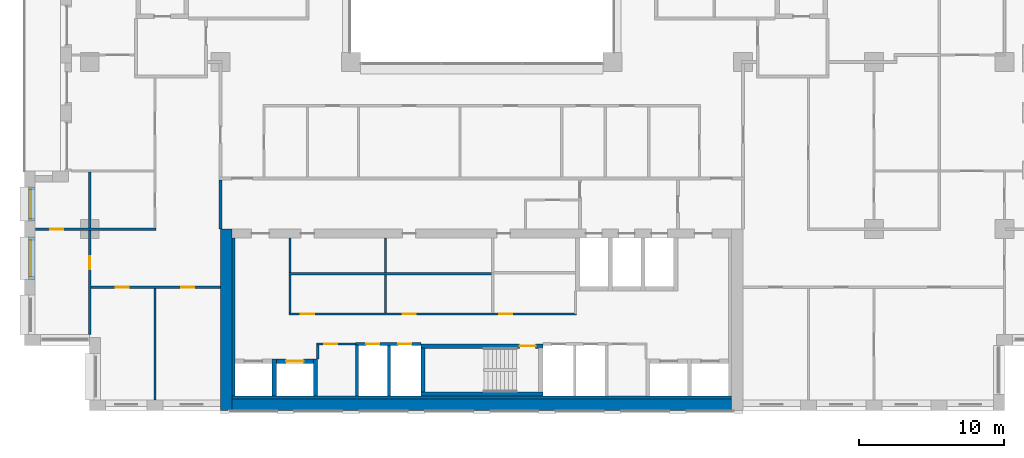
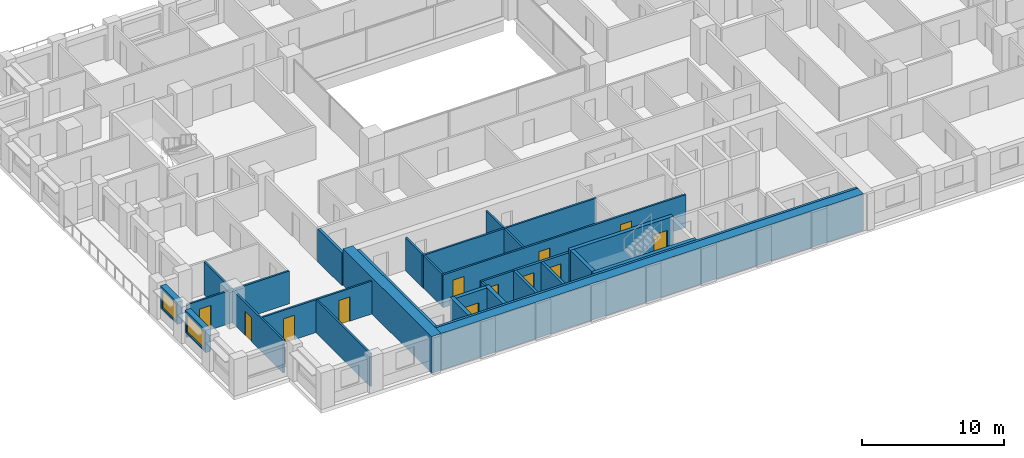
# One storey, part 8 of 16: 29 walls, 12 doors, 2 windows, 14 openings.
"""IFC4 building model written with IfcOpenShell, lengths in metres."""

from ifc_helpers import new_model, si_unit, direction, frame, frame_2d, origin, place, context, subcontext, project, spatial, rectangle, extrude, material, layer, layer_set, type_object, element, fill, save


model = new_model("IFC4")

# Units and contexts
model_context = context("Model", 3, precision=1e-05, world=origin(), true_north=direction((0.0, 1.0)))
body_context = subcontext(model_context, "Body", "Model", "MODEL_VIEW")
ifc_project = project(units=[si_unit("LENGTHUNIT", "METRE"), si_unit("AREAUNIT", "SQUARE_METRE"), si_unit("VOLUMEUNIT", "CUBIC_METRE"), si_unit("PLANEANGLEUNIT", "RADIAN"), si_unit("MASSUNIT", "GRAM", prefix="KILO")], contexts=[model_context])

# Site, building, storey
site_placement = place(None, origin())
site = spatial("IfcSite", under=ifc_project, at=site_placement, CompositionType="ELEMENT")
building_placement = place(site_placement, origin())
building = spatial("IfcBuilding", under=site, at=building_placement, Name="Brigalow Station Residences", CompositionType="ELEMENT")
storey_placement = place(building_placement, frame((0.0, 0.0, 124.5)))
storey = spatial("IfcBuildingStorey", under=building, at=storey_placement, Name="L36", CompositionType="ELEMENT", Elevation=124.5)

# Wall, opening, window
ifc_material_1 = material(Name="Clay brick masonry", Category="masonry")
ifc_layer_1 = layer(ifc_material_1, 0.449951171875)
ifc_layer_set_1 = layer_set([ifc_layer_1], Name="BRICK INFILL WALL 450")
wall_type_1 = type_object("IfcWallType", Name="BRICK INFILL WALL 450", PredefinedType="SOLIDWALL", material=ifc_layer_set_1)
wall_1_placement = place(storey_placement, frame((5.02490234375, 15.39990234375, 0.89990234375), z_axis=(0.0, 0.0, 1.0), x_axis=(0.0, -1.0, 0.0)))
wall_1 = element("IfcWall", 1, at=wall_1_placement, inside=storey, type_object=wall_type_1, Name="L36/ewall/W-L36-47", PredefinedType="SOLIDWALL", context=body_context, shape_type="SweptSolid", body=[
    extrude(rectangle(XDim=2.349853515625, YDim=0.449951171875, at=frame_2d((1.1748046875, 0.0))), origin(), (0.0, 0.0, 1.0), 1.93017578125),
])
opening_1_placement = place(wall_1_placement, frame((0.175048828125, 0.0, 0.14990234375)))
opening_1 = element("IfcOpeningElement", 2, at=opening_1_placement, cuts=wall_1, Name="Opening WT-7", PredefinedType="OPENING", context=body_context, shape_type="SweptSolid", body=[
    extrude(rectangle(XDim=2.0, YDim=1.5, at=frame_2d((1.0, 0.75))), frame((0.0, 0.23486328125, 0.0), z_axis=(0.0, -1.0, 0.0), x_axis=(1.0, 0.0, 0.0)), (0.0, 0.0, 1.0), 0.469970703125),
])
ifc_material_2 = material(Name="Anodised aluminium frame with double glazing", Category="aluminium")
window_type_1 = type_object("IfcWindowType", Name="WINDOW 2000x1500", PartitioningType="SINGLE_PANEL", PredefinedType="WINDOW", material=ifc_material_2)
window_1_placement = place(opening_1_placement, origin())
window_1 = element("IfcWindow", 3, at=window_1_placement, inside=storey, type_object=window_type_1, Name="L36/window/W-L36-47", OverallHeight=1.5, OverallWidth=2.0, PartitioningType="SINGLE_PANEL", PredefinedType="WINDOW", context=body_context, shape_type="SweptSolid", body=[
    extrude(rectangle(XDim=2.0, YDim=1.5, at=frame_2d((1.0, 0.75))), frame((0.0, -0.06494140625, 0.0), z_axis=(0.0, -1.0, 0.0), x_axis=(1.0, 0.0, 0.0)), (0.0, 0.0, 1.0), 0.06005859375),
])
fill(opening_1, window_1)

wall_2_placement = place(storey_placement, frame((5.02490234375, 11.949951171875, 0.89990234375), z_axis=(0.0, 0.0, 1.0), x_axis=(0.0, -1.0, 0.0)))
wall_2 = element("IfcWall", 4, at=wall_2_placement, inside=storey, type_object=wall_type_1, Name="L36/ewall/W-L36-48", PredefinedType="SOLIDWALL", context=body_context, shape_type="SweptSolid", body=[
    extrude(rectangle(XDim=2.89990234375, YDim=0.449951171875, at=frame_2d((1.449951171875, 0.0))), origin(), (0.0, 0.0, 1.0), 1.93017578125),
])
opening_2_placement = place(wall_2_placement, frame((0.199951171875, 0.0, 0.14990234375)))
opening_2 = element("IfcOpeningElement", 5, at=opening_2_placement, cuts=wall_2, Name="Opening WT-5", PredefinedType="OPENING", context=body_context, shape_type="SweptSolid", body=[
    extrude(rectangle(XDim=2.5, YDim=1.5, at=frame_2d((1.25, 0.75))), frame((0.0, 0.23486328125, 0.0), z_axis=(0.0, -1.0, 0.0), x_axis=(1.0, 0.0, 0.0)), (0.0, 0.0, 1.0), 0.469970703125),
])
ifc_material_3 = material(Name="Anodised aluminium frame with double glazing", Category="aluminium")
window_type_2 = type_object("IfcWindowType", Name="WINDOW 2500x1500", PartitioningType="SINGLE_PANEL", PredefinedType="WINDOW", material=ifc_material_3)
window_2_placement = place(opening_2_placement, origin())
window_2 = element("IfcWindow", 6, at=window_2_placement, inside=storey, type_object=window_type_2, Name="L36/window/W-L36-48", OverallHeight=1.5, OverallWidth=2.5, PartitioningType="SINGLE_PANEL", PredefinedType="WINDOW", context=body_context, shape_type="SweptSolid", body=[
    extrude(rectangle(XDim=2.5, YDim=1.5, at=frame_2d((1.25, 0.75))), frame((0.0, -0.06494140625, 0.0), z_axis=(0.0, -1.0, 0.0), x_axis=(1.0, 0.0, 0.0)), (0.0, 0.0, 1.0), 0.06005859375),
])
fill(opening_2, window_2)

# Walls
ifc_material_4 = material(Name="Concrete C65", Category="concrete")
ifc_layer_2 = layer(ifc_material_4, 0.199951171875)
ifc_layer_set_2 = layer_set([ifc_layer_2], Name="CORE SHEAR WALL 200 C65")
wall_type_2 = type_object("IfcWallType", Name="CORE SHEAR WALL 200 C65", PredefinedType="SHEAR", material=ifc_layer_set_2)
wall_3_placement = place(storey_placement, frame((18.89990234375, 1.0, 0.0), z_axis=(0.0, 0.0, 1.0), x_axis=(0.0, 1.0, 0.0)))
element("IfcWall", 7, at=wall_3_placement, inside=storey, type_object=wall_type_2, Name="CORE WALL LIN-W L36", PredefinedType="SHEAR", context=body_context, shape_type="SweptSolid", body=[
    extrude(rectangle(XDim=10.89990234375, YDim=0.199951171875, at=frame_2d((5.449951171875, 0.0))), origin(), (0.0, 0.0, 1.0), 3.14990234375),
])
wall_4_placement = place(storey_placement, frame((18.800048828125, 0.89990234375, 0.0), z_axis=(0.0, 0.0, 1.0), x_axis=(1.0, 0.0, 0.0)))
element("IfcWall", 8, at=wall_4_placement, inside=storey, type_object=wall_type_2, Name="CORE WALL LIN-S L36", PredefinedType="SHEAR", context=body_context, shape_type="SweptSolid", body=[
    extrude(rectangle(XDim=34.39990234375, YDim=0.199951171875, at=frame_2d((17.199951171875, 0.0))), origin(), (0.0, 0.0, 1.0), 3.14990234375),
])

# Wall, opening, door
ifc_material_5 = material(Name="Concrete C65", Category="concrete")
ifc_layer_3 = layer(ifc_material_5, 0.300048828125)
ifc_layer_set_3 = layer_set([ifc_layer_3], Name="CORE SHEAR WALL 300 C65")
wall_type_3 = type_object("IfcWallType", Name="CORE SHEAR WALL 300 C65", PredefinedType="SHEAR", material=ifc_layer_set_3)
wall_5_placement = place(storey_placement, frame((21.85009765625, 3.39990234375, 0.0), z_axis=(0.0, 0.0, 1.0), x_axis=(1.0, 0.0, 0.0)))
wall_5 = element("IfcWall", 9, at=wall_5_placement, inside=storey, type_object=wall_type_3, Name="CORE WALL SH-C2-N L36", PredefinedType="SHEAR", context=body_context, shape_type="SweptSolid", body=[
    extrude(rectangle(XDim=2.5498046875, YDim=0.300048828125, at=frame_2d((1.27490234375, 0.0))), origin(), (0.0, 0.0, 1.0), 3.14990234375),
])
opening_3_placement = place(wall_5_placement, frame((0.675048828125, 0.0, 0.0)))
opening_3 = element("IfcOpeningElement", 10, at=opening_3_placement, cuts=wall_5, Name="Opening LD-LB2", PredefinedType="OPENING", context=body_context, shape_type="SweptSolid", body=[
    extrude(rectangle(XDim=1.199951171875, YDim=2.10009765625, at=frame_2d((0.60009765625, 1.050048828125))), frame((0.0, 0.16015625, 0.0), z_axis=(0.0, -1.0, 0.0), x_axis=(1.0, 0.0, 0.0)), (0.0, 0.0, 1.0), 0.320068359375),
])
ifc_material_6 = material(Name="Stainless steel sliding door leaves", Category="steel")
door_type_1 = type_object("IfcDoorType", Name="LIFT LANDING DOOR 1200 x 2100", OperationType="DOUBLE_DOOR_SLIDING", PredefinedType="DOOR", material=ifc_material_6)
door_1_placement = place(opening_3_placement, origin())
door_1 = element("IfcDoor", 11, at=door_1_placement, inside=storey, type_object=door_type_1, Name="LANDING DOOR LB2", OperationType="DOUBLE_DOOR_SLIDING", OverallHeight=2.10009765625, OverallWidth=1.199951171875, PredefinedType="DOOR", context=body_context, shape_type="SweptSolid", body=[
    extrude(rectangle(XDim=1.199951171875, YDim=2.10009765625, at=frame_2d((0.60009765625, 1.050048828125))), frame((0.0, 0.02490234375, 0.0), z_axis=(0.0, -1.0, 0.0), x_axis=(1.0, 0.0, 0.0)), (0.0, 0.0, 1.0), 0.050048828125),
])
fill(opening_3, door_1)

# Walls
for number, where, z_axis, x_axis, name in (
    (12, (21.699951171875, 1.0, 0.0), (0.0, 0.0, 1.0), (0.0, 1.0, 0.0), "CORE WALL SH-C2-W L36"),
    (13, (24.550048828125, 1.0, 0.0), (0.0, 0.0, 1.0), (0.0, 1.0, 0.0), "CORE WALL SH-C2-E L36"),
):
    element("IfcWall", number, at=place(storey_placement, frame(where, z_axis=z_axis, x_axis=x_axis)), inside=storey, type_object=wall_type_3, Name=name, PredefinedType="SHEAR", context=body_context, shape_type="SweptSolid", body=[
        extrude(rectangle(XDim=2.550048828125, YDim=0.300048828125, at=frame_2d((1.27490234375, 0.0))), origin(), (0.0, 0.0, 1.0), 3.14990234375),
    ])
wall_6_placement = place(storey_placement, frame((31.800048828125, 1.14990234375, 0.0), z_axis=(0.0, 0.0, 1.0), x_axis=(1.0, 0.0, 0.0)))
element("IfcWall", 14, at=wall_6_placement, inside=storey, type_object=wall_type_3, Name="CORE WALL ST-S2-S L36", PredefinedType="SHEAR", context=body_context, shape_type="SweptSolid", body=[
    extrude(rectangle(XDim=8.39990234375, YDim=0.300048828125, at=frame_2d((4.199951171875, 0.0))), origin(), (0.0, 0.0, 1.0), 3.14990234375),
])

# Wall, opening, door
wall_7_placement = place(storey_placement, frame((31.800048828125, 4.449951171875, 0.0), z_axis=(0.0, 0.0, 1.0), x_axis=(1.0, 0.0, 0.0)))
wall_7 = element("IfcWall", 15, at=wall_7_placement, inside=storey, type_object=wall_type_3, Name="CORE WALL ST-S2-N L36", PredefinedType="SHEAR", context=body_context, shape_type="SweptSolid", body=[
    extrude(rectangle(XDim=8.39990234375, YDim=0.300048828125, at=frame_2d((4.199951171875, 0.0))), origin(), (0.0, 0.0, 1.0), 3.14990234375),
])
opening_4_placement = place(wall_7_placement, frame((6.800048828125, 0.0, 0.0)))
opening_4 = element("IfcOpeningElement", 16, at=opening_4_placement, cuts=wall_7, Name="Opening D-5001", PredefinedType="OPENING", context=body_context, shape_type="SweptSolid", body=[
    extrude(rectangle(XDim=1.10009765625, YDim=2.10009765625, at=frame_2d((0.550048828125, 1.050048828125))), frame((0.0, 0.16015625, 0.0), z_axis=(0.0, -1.0, 0.0), x_axis=(1.0, 0.0, 0.0)), (0.0, 0.0, 1.0), 0.320068359375),
])
ifc_material_7 = material(Name="Steel fire door leaf in steel frame", Category="steel")
door_type_2 = type_object("IfcDoorType", Name="STAIR DOOR 1100 x 2100 FD60S", OperationType="SINGLE_SWING_LEFT", PredefinedType="DOOR", material=ifc_material_7)
door_2_placement = place(opening_4_placement, frame((1.10009765625, 0.0, 0.0), z_axis=(0.0, 0.0, 1.0), x_axis=(-1.0, 0.0, 0.0)))
door_2 = element("IfcDoor", 17, at=door_2_placement, inside=storey, type_object=door_type_2, Name="D-5001", OperationType="SINGLE_SWING_LEFT", OverallHeight=2.10009765625, OverallWidth=1.10009765625, PredefinedType="DOOR", context=body_context, shape_type="SweptSolid", body=[
    extrude(rectangle(XDim=1.10009765625, YDim=2.10009765625, at=frame_2d((0.550048828125, 1.050048828125))), frame((0.0, 0.02490234375, 0.0), z_axis=(0.0, -1.0, 0.0), x_axis=(1.0, 0.0, 0.0)), (0.0, 0.0, 1.0), 0.050048828125),
])
fill(opening_4, door_2)

# Walls
wall_8_placement = place(storey_placement, frame((31.949951171875, 1.300048828125, 0.0), z_axis=(0.0, 0.0, 1.0), x_axis=(0.0, 1.0, 0.0)))
element("IfcWall", 18, at=wall_8_placement, inside=storey, type_object=wall_type_3, Name="CORE WALL ST-S2-W L36", PredefinedType="SHEAR", context=body_context, shape_type="SweptSolid", body=[
    extrude(rectangle(XDim=3.0, YDim=0.300048828125, at=frame_2d((1.5, 0.0))), origin(), (0.0, 0.0, 1.0), 3.14990234375),
])
ifc_material_8 = material(Name="Concrete C65", Category="concrete")
ifc_layer_4 = layer(ifc_material_8, 0.800048828125)
ifc_layer_set_4 = layer_set([ifc_layer_4], Name="CORE SHEAR WALL 800 C65")
wall_type_4 = type_object("IfcWallType", Name="CORE SHEAR WALL 800 C65", PredefinedType="SHEAR", material=ifc_layer_set_4)
wall_9_placement = place(storey_placement, frame((18.39990234375, 0.0, 0.0), z_axis=(0.0, 0.0, 1.0), x_axis=(0.0, 1.0, 0.0)))
element("IfcWall", 19, at=wall_9_placement, inside=storey, type_object=wall_type_4, Name="CORE WALL OUT-W L36", PredefinedType="SHEAR", context=body_context, shape_type="SweptSolid", body=[
    extrude(rectangle(XDim=12.5, YDim=0.800048828125, at=frame_2d((6.25, 0.0))), origin(), (0.0, 0.0, 1.0), 3.14990234375),
])
wall_10_placement = place(storey_placement, frame((18.800048828125, 0.39990234375, 0.0), z_axis=(0.0, 0.0, 1.0), x_axis=(1.0, 0.0, 0.0)))
element("IfcWall", 20, at=wall_10_placement, inside=storey, type_object=wall_type_4, Name="CORE WALL OUT-S L36", PredefinedType="SHEAR", context=body_context, shape_type="SweptSolid", body=[
    extrude(rectangle(XDim=34.39990234375, YDim=0.800048828125, at=frame_2d((17.199951171875, 0.0))), origin(), (0.0, 0.0, 1.0), 3.14990234375),
])

# Wall, openings, doors
ifc_material_9 = material(Name="Concrete blockwork", Category="masonry")
ifc_layer_5 = layer(ifc_material_9, 0.199951171875)
ifc_layer_set_5 = layer_set([ifc_layer_5], Name="FIRE RATED CORE PARTITION 200")
wall_type_5 = type_object("IfcWallType", Name="FIRE RATED CORE PARTITION 200", PredefinedType="PARTITIONING", material=ifc_layer_set_5)
wall_11_placement = place(storey_placement, frame((27.300048828125, 4.60009765625, 0.0), z_axis=(0.0, 0.0, 1.0), x_axis=(1.0, 0.0, 0.0)))
wall_11 = element("IfcWall", 21, at=wall_11_placement, inside=storey, type_object=wall_type_5, Name="PW-5017", PredefinedType="PARTITIONING", context=body_context, shape_type="SweptSolid", body=[
    extrude(rectangle(XDim=4.5, YDim=0.199951171875, at=frame_2d((2.25, 0.0))), origin(), (0.0, 0.0, 1.0), 2.830078125),
])
opening_5_placement = place(wall_11_placement, frame((0.75, 0.0, 0.0)))
opening_5 = element("IfcOpeningElement", 22, at=opening_5_placement, cuts=wall_11, Name="Opening D-5007", PredefinedType="OPENING", context=body_context, shape_type="SweptSolid", body=[
    extrude(rectangle(XDim=0.89990234375, YDim=2.10009765625, at=frame_2d((0.449951171875, 1.050048828125))), frame((0.0, 0.10986328125, 0.0), z_axis=(0.0, -1.0, 0.0), x_axis=(1.0, 0.0, 0.0)), (0.0, 0.0, 1.0), 0.219970703125),
])
opening_6_placement = place(wall_11_placement, frame((2.949951171875, 0.0, 0.0)))
opening_6 = element("IfcOpeningElement", 23, at=opening_6_placement, cuts=wall_11, Name="Opening D-5008", PredefinedType="OPENING", context=body_context, shape_type="SweptSolid", body=[
    extrude(rectangle(XDim=0.89990234375, YDim=2.10009765625, at=frame_2d((0.449951171875, 1.050048828125))), frame((0.0, 0.10986328125, 0.0), z_axis=(0.0, -1.0, 0.0), x_axis=(1.0, 0.0, 0.0)), (0.0, 0.0, 1.0), 0.219970703125),
])
ifc_material_10 = material(Name="Steel fire door leaf in steel frame", Category="steel")
door_type_3 = type_object("IfcDoorType", Name="RISER ACCESS DOOR 900 x 2100 FD120", OperationType="SINGLE_SWING_LEFT", PredefinedType="DOOR", material=ifc_material_10)
door_3_placement = place(opening_5_placement, frame((0.89990234375, 0.0, 0.0), z_axis=(0.0, 0.0, 1.0), x_axis=(-1.0, 0.0, 0.0)))
door_3 = element("IfcDoor", 24, at=door_3_placement, inside=storey, type_object=door_type_3, Name="D-5007", OperationType="SINGLE_SWING_RIGHT", OverallHeight=2.10009765625, OverallWidth=0.89990234375, PredefinedType="DOOR", context=body_context, shape_type="SweptSolid", body=[
    extrude(rectangle(XDim=0.89990234375, YDim=2.10009765625, at=frame_2d((0.449951171875, 1.050048828125))), frame((0.0, 0.02490234375, 0.0), z_axis=(0.0, -1.0, 0.0), x_axis=(1.0, 0.0, 0.0)), (0.0, 0.0, 1.0), 0.050048828125),
])
fill(opening_5, door_3)
door_4_placement = place(opening_6_placement, frame((0.89990234375, 0.0, 0.0), z_axis=(0.0, 0.0, 1.0), x_axis=(-1.0, 0.0, 0.0)))
door_4 = element("IfcDoor", 25, at=door_4_placement, inside=storey, type_object=door_type_3, Name="D-5008", OperationType="SINGLE_SWING_RIGHT", OverallHeight=2.10009765625, OverallWidth=0.89990234375, PredefinedType="DOOR", context=body_context, shape_type="SweptSolid", body=[
    extrude(rectangle(XDim=0.89990234375, YDim=2.10009765625, at=frame_2d((0.449951171875, 1.050048828125))), frame((0.0, 0.02490234375, 0.0), z_axis=(0.0, -1.0, 0.0), x_axis=(1.0, 0.0, 0.0)), (0.0, 0.0, 1.0), 0.050048828125),
])
fill(opening_6, door_4)

# Walls
wall_12_placement = place(storey_placement, frame((27.39990234375, 1.0, 0.0), z_axis=(0.0, 0.0, 1.0), x_axis=(0.0, 1.0, 0.0)))
element("IfcWall", 26, at=wall_12_placement, inside=storey, type_object=wall_type_5, Name="PW-5027", PredefinedType="PARTITIONING", context=body_context, shape_type="SweptSolid", body=[
    extrude(rectangle(XDim=3.52490234375, YDim=0.199951171875, at=frame_2d((1.762451171875, 0.0))), origin(), (0.0, 0.0, 1.0), 2.830078125),
])
wall_13_placement = place(storey_placement, frame((29.60009765625, 1.0, 0.0), z_axis=(0.0, 0.0, 1.0), x_axis=(0.0, 1.0, 0.0)))
element("IfcWall", 27, at=wall_13_placement, inside=storey, type_object=wall_type_5, Name="PW-5006", PredefinedType="PARTITIONING", context=body_context, shape_type="SweptSolid", body=[
    extrude(rectangle(XDim=3.5, YDim=0.199951171875, at=frame_2d((1.75, 0.0))), origin(), (0.0, 0.0, 1.0), 2.830078125),
])
wall_14_placement = place(storey_placement, frame((18.0, 12.5, 0.0), z_axis=(0.0, 0.0, 1.0), x_axis=(0.0, 1.0, 0.0)))
element("IfcWall", 28, at=wall_14_placement, inside=storey, type_object=wall_type_5, Name="PW-5013", PredefinedType="PARTITIONING", context=body_context, shape_type="SweptSolid", body=[
    extrude(rectangle(XDim=3.39990234375, YDim=0.199951171875, at=frame_2d((1.699951171875, 0.0))), origin(), (0.0, 0.0, 1.0), 2.830078125),
])

# Wall, opening, door
ifc_material_11 = material(Name="Plasterboard on steel stud partition", Category="steel")
ifc_layer_6 = layer(ifc_material_11, 0.14990234375)
ifc_layer_set_6 = layer_set([ifc_layer_6], Name="FLAT PARTITION 150")
wall_type_6 = type_object("IfcWallType", Name="FLAT PARTITION 150", PredefinedType="PARTITIONING", material=ifc_layer_set_6)
wall_15_placement = place(storey_placement, frame((5.25, 12.5, 0.0), z_axis=(0.0, 0.0, 1.0), x_axis=(1.0, 0.0, 0.0)))
wall_15 = element("IfcWall", 29, at=wall_15_placement, inside=storey, type_object=wall_type_6, Name="PW-2F10", PredefinedType="PARTITIONING", context=body_context, shape_type="SweptSolid", body=[
    extrude(rectangle(XDim=8.324951171875, YDim=0.14990234375, at=frame_2d((4.16259765625, 0.0))), origin(), (0.0, 0.0, 1.0), 2.830078125),
])
opening_7_placement = place(wall_15_placement, frame((1.02490234375, 0.0, 0.0)))
opening_7 = element("IfcOpeningElement", 30, at=opening_7_placement, cuts=wall_15, Name="Opening D-2F05", PredefinedType="OPENING", context=body_context, shape_type="SweptSolid", body=[
    extrude(rectangle(XDim=0.89990234375, YDim=2.10009765625, at=frame_2d((0.449951171875, 1.050048828125))), frame((0.0, 0.0849609375, 0.0), z_axis=(0.0, -1.0, 0.0), x_axis=(1.0, 0.0, 0.0)), (0.0, 0.0, 1.0), 0.169921875),
])
ifc_material_12 = material(Name="Solid-core timber door leaf", Category="wood")
door_type_4 = type_object("IfcDoorType", Name="INTERNAL DOOR 900 x 2100", OperationType="SINGLE_SWING_LEFT", PredefinedType="DOOR", material=ifc_material_12)
door_5_placement = place(opening_7_placement, origin())
door_5 = element("IfcDoor", 31, at=door_5_placement, inside=storey, type_object=door_type_4, Name="D-2F05", OperationType="SINGLE_SWING_LEFT", OverallHeight=2.10009765625, OverallWidth=0.89990234375, PredefinedType="DOOR", context=body_context, shape_type="SweptSolid", body=[
    extrude(rectangle(XDim=0.89990234375, YDim=2.10009765625, at=frame_2d((0.449951171875, 1.050048828125))), frame((0.0, 0.02490234375, 0.0), z_axis=(0.0, -1.0, 0.0), x_axis=(1.0, 0.0, 0.0)), (0.0, 0.0, 1.0), 0.050048828125),
])
fill(opening_7, door_5)

# Wall, openings, doors
wall_16_placement = place(storey_placement, frame((9.074951171875, 8.5, 0.0), z_axis=(0.0, 0.0, 1.0), x_axis=(1.0, 0.0, 0.0)))
wall_16 = element("IfcWall", 32, at=wall_16_placement, inside=storey, type_object=wall_type_6, Name="PW-2F15", PredefinedType="PARTITIONING", context=body_context, shape_type="SweptSolid", body=[
    extrude(rectangle(XDim=8.925048828125, YDim=0.14990234375, at=frame_2d((4.46240234375, 0.0))), origin(), (0.0, 0.0, 1.0), 2.830078125),
])
opening_8_placement = place(wall_16_placement, frame((1.72509765625, 0.0, 0.0)))
opening_8 = element("IfcOpeningElement", 33, at=opening_8_placement, cuts=wall_16, Name="Opening D-2F06", PredefinedType="OPENING", context=body_context, shape_type="SweptSolid", body=[
    extrude(rectangle(XDim=0.89990234375, YDim=2.10009765625, at=frame_2d((0.449951171875, 1.050048828125))), frame((0.0, 0.0849609375, 0.0), z_axis=(0.0, -1.0, 0.0), x_axis=(1.0, 0.0, 0.0)), (0.0, 0.0, 1.0), 0.169921875),
])
opening_9_placement = place(wall_16_placement, frame((6.22509765625, 0.0, 0.0)))
opening_9 = element("IfcOpeningElement", 34, at=opening_9_placement, cuts=wall_16, Name="Opening D-2F07", PredefinedType="OPENING", context=body_context, shape_type="SweptSolid", body=[
    extrude(rectangle(XDim=0.89990234375, YDim=2.10009765625, at=frame_2d((0.449951171875, 1.050048828125))), frame((0.0, 0.0849609375, 0.0), z_axis=(0.0, -1.0, 0.0), x_axis=(1.0, 0.0, 0.0)), (0.0, 0.0, 1.0), 0.169921875),
])
door_6_placement = place(opening_8_placement, frame((0.89990234375, 0.0, 0.0), z_axis=(0.0, 0.0, 1.0), x_axis=(-1.0, 0.0, 0.0)))
door_6 = element("IfcDoor", 35, at=door_6_placement, inside=storey, type_object=door_type_4, Name="D-2F06", OperationType="SINGLE_SWING_LEFT", OverallHeight=2.10009765625, OverallWidth=0.89990234375, PredefinedType="DOOR", context=body_context, shape_type="SweptSolid", body=[
    extrude(rectangle(XDim=0.89990234375, YDim=2.10009765625, at=frame_2d((0.449951171875, 1.050048828125))), frame((0.0, 0.02490234375, 0.0), z_axis=(0.0, -1.0, 0.0), x_axis=(1.0, 0.0, 0.0)), (0.0, 0.0, 1.0), 0.050048828125),
])
fill(opening_8, door_6)
door_7_placement = place(opening_9_placement, frame((0.89990234375, 0.0, 0.0), z_axis=(0.0, 0.0, 1.0), x_axis=(-1.0, 0.0, 0.0)))
door_7 = element("IfcDoor", 36, at=door_7_placement, inside=storey, type_object=door_type_4, Name="D-2F07", OperationType="SINGLE_SWING_RIGHT", OverallHeight=2.10009765625, OverallWidth=0.89990234375, PredefinedType="DOOR", context=body_context, shape_type="SweptSolid", body=[
    extrude(rectangle(XDim=0.89990234375, YDim=2.10009765625, at=frame_2d((0.449951171875, 1.050048828125))), frame((0.0, 0.02490234375, 0.0), z_axis=(0.0, -1.0, 0.0), x_axis=(1.0, 0.0, 0.0)), (0.0, 0.0, 1.0), 0.050048828125),
])
fill(opening_9, door_7)

# Wall, opening, door
wall_17_placement = place(storey_placement, frame((9.0, 5.25, 0.0), z_axis=(0.0, 0.0, 1.0), x_axis=(0.0, 1.0, 0.0)))
wall_17 = element("IfcWall", 37, at=wall_17_placement, inside=storey, type_object=wall_type_6, Name="PW-2F48", PredefinedType="PARTITIONING", context=body_context, shape_type="SweptSolid", body=[
    extrude(rectangle(XDim=7.175048828125, YDim=0.14990234375, at=frame_2d((3.58740234375, 0.0))), origin(), (0.0, 0.0, 1.0), 2.830078125),
])
opening_10_placement = place(wall_17_placement, frame((4.47509765625, 0.0, 0.0)))
opening_10 = element("IfcOpeningElement", 38, at=opening_10_placement, cuts=wall_17, Name="Opening D-2F04", PredefinedType="OPENING", context=body_context, shape_type="SweptSolid", body=[
    extrude(rectangle(XDim=0.89990234375, YDim=2.10009765625, at=frame_2d((0.449951171875, 1.050048828125))), frame((0.0, 0.0849609375, 0.0), z_axis=(0.0, -1.0, 0.0), x_axis=(1.0, 0.0, 0.0)), (0.0, 0.0, 1.0), 0.169921875),
])
door_8_placement = place(opening_10_placement, origin())
door_8 = element("IfcDoor", 39, at=door_8_placement, inside=storey, type_object=door_type_4, Name="D-2F04", OperationType="SINGLE_SWING_RIGHT", OverallHeight=2.10009765625, OverallWidth=0.89990234375, PredefinedType="DOOR", context=body_context, shape_type="SweptSolid", body=[
    extrude(rectangle(XDim=0.89990234375, YDim=2.10009765625, at=frame_2d((0.449951171875, 1.050048828125))), frame((0.0, 0.02490234375, 0.0), z_axis=(0.0, -1.0, 0.0), x_axis=(1.0, 0.0, 0.0)), (0.0, 0.0, 1.0), 0.050048828125),
])
fill(opening_10, door_8)

# Walls
wall_18_placement = place(storey_placement, frame((9.0, 12.574951171875, 0.0), z_axis=(0.0, 0.0, 1.0), x_axis=(0.0, 1.0, 0.0)))
element("IfcWall", 40, at=wall_18_placement, inside=storey, type_object=wall_type_6, Name="PW-2F49", PredefinedType="PARTITIONING", context=body_context, shape_type="SweptSolid", body=[
    extrude(rectangle(XDim=3.85009765625, YDim=0.14990234375, at=frame_2d((1.925048828125, 0.0))), origin(), (0.0, 0.0, 1.0), 2.830078125),
])
wall_19_placement = place(storey_placement, frame((13.5, 0.75, 0.0), z_axis=(0.0, 0.0, 1.0), x_axis=(0.0, 1.0, 0.0)))
element("IfcWall", 41, at=wall_19_placement, inside=storey, type_object=wall_type_6, Name="PW-2F50", PredefinedType="PARTITIONING", context=body_context, shape_type="SweptSolid", body=[
    extrude(rectangle(XDim=7.675048828125, YDim=0.14990234375, at=frame_2d((3.83740234375, 0.0))), origin(), (0.0, 0.0, 1.0), 2.830078125),
])

# Wall, opening, door
ifc_material_13 = material(Name="Plasterboard on steel studs", Category="steel")
ifc_layer_7 = layer(ifc_material_13, 0.14990234375)
ifc_layer_set_7 = layer_set([ifc_layer_7], Name="SERVICE ROOM PARTITION 150")
wall_type_7 = type_object("IfcWallType", Name="SERVICE ROOM PARTITION 150", PredefinedType="PARTITIONING", material=ifc_layer_set_7)
wall_20_placement = place(storey_placement, frame((24.625, 4.60009765625, 0.0), z_axis=(0.0, 0.0, 1.0), x_axis=(1.0, 0.0, 0.0)))
wall_20 = element("IfcWall", 42, at=wall_20_placement, inside=storey, type_object=wall_type_7, Name="PW-5155", PredefinedType="PARTITIONING", context=body_context, shape_type="SweptSolid", body=[
    extrude(rectangle(XDim=2.675048828125, YDim=0.14990234375, at=frame_2d((1.33740234375, 0.0))), origin(), (0.0, 0.0, 1.0), 2.830078125),
])
opening_11_placement = place(wall_20_placement, frame((0.52490234375, 0.0, 0.0)))
opening_11 = element("IfcOpeningElement", 43, at=opening_11_placement, cuts=wall_20, Name="Opening D-5087", PredefinedType="OPENING", context=body_context, shape_type="SweptSolid", body=[
    extrude(rectangle(XDim=0.89990234375, YDim=2.10009765625, at=frame_2d((0.449951171875, 1.050048828125))), frame((0.0, 0.0849609375, 0.0), z_axis=(0.0, -1.0, 0.0), x_axis=(1.0, 0.0, 0.0)), (0.0, 0.0, 1.0), 0.169921875),
])
ifc_material_14 = material(Name="Steel door leaf in steel frame", Category="steel")
door_type_5 = type_object("IfcDoorType", Name="SERVICE ROOM DOOR 900 x 2100 FD60", OperationType="SINGLE_SWING_LEFT", PredefinedType="DOOR", material=ifc_material_14)
door_9_placement = place(opening_11_placement, frame((0.89990234375, 0.0, 0.0), z_axis=(0.0, 0.0, 1.0), x_axis=(-1.0, 0.0, 0.0)))
door_9 = element("IfcDoor", 44, at=door_9_placement, inside=storey, type_object=door_type_5, Name="D-5087", OperationType="SINGLE_SWING_RIGHT", OverallHeight=2.10009765625, OverallWidth=0.89990234375, PredefinedType="DOOR", context=body_context, shape_type="SweptSolid", body=[
    extrude(rectangle(XDim=0.89990234375, YDim=2.10009765625, at=frame_2d((0.449951171875, 1.050048828125))), frame((0.0, 0.02490234375, 0.0), z_axis=(0.0, -1.0, 0.0), x_axis=(1.0, 0.0, 0.0)), (0.0, 0.0, 1.0), 0.050048828125),
])
fill(opening_11, door_9)

# Wall, openings, doors
wall_21_placement = place(storey_placement, frame((22.72509765625, 6.64990234375, 0.0), z_axis=(0.0, 0.0, 1.0), x_axis=(1.0, 0.0, 0.0)))
wall_21 = element("IfcWall", 45, at=wall_21_placement, inside=storey, type_object=wall_type_7, Name="PW-5195", PredefinedType="PARTITIONING", context=body_context, shape_type="SweptSolid", body=[
    extrude(rectangle(XDim=19.7998046875, YDim=0.14990234375, at=frame_2d((9.89990234375, 0.0))), origin(), (0.0, 0.0, 1.0), 2.830078125),
])
opening_12_placement = place(wall_21_placement, frame((0.824951171875, 0.0, 0.0)))
opening_12 = element("IfcOpeningElement", 46, at=opening_12_placement, cuts=wall_21, Name="Opening D-5110", PredefinedType="OPENING", context=body_context, shape_type="SweptSolid", body=[
    extrude(rectangle(XDim=0.89990234375, YDim=2.10009765625, at=frame_2d((0.449951171875, 1.050048828125))), frame((0.0, 0.0849609375, 0.0), z_axis=(0.0, -1.0, 0.0), x_axis=(1.0, 0.0, 0.0)), (0.0, 0.0, 1.0), 0.169921875),
])
opening_13_placement = place(wall_21_placement, frame((7.824951171875, 0.0, 0.0)))
opening_13 = element("IfcOpeningElement", 47, at=opening_13_placement, cuts=wall_21, Name="Opening D-5123", PredefinedType="OPENING", context=body_context, shape_type="SweptSolid", body=[
    extrude(rectangle(XDim=0.89990234375, YDim=2.10009765625, at=frame_2d((0.449951171875, 1.050048828125))), frame((0.0, 0.0849609375, 0.0), z_axis=(0.0, -1.0, 0.0), x_axis=(1.0, 0.0, 0.0)), (0.0, 0.0, 1.0), 0.169921875),
])
opening_14_placement = place(wall_21_placement, frame((14.47509765625, 0.0, 0.0)))
opening_14 = element("IfcOpeningElement", 48, at=opening_14_placement, cuts=wall_21, Name="Opening D-5114", PredefinedType="OPENING", context=body_context, shape_type="SweptSolid", body=[
    extrude(rectangle(XDim=0.89990234375, YDim=2.10009765625, at=frame_2d((0.449951171875, 1.050048828125))), frame((0.0, 0.0849609375, 0.0), z_axis=(0.0, -1.0, 0.0), x_axis=(1.0, 0.0, 0.0)), (0.0, 0.0, 1.0), 0.169921875),
])
door_10_placement = place(opening_12_placement, origin())
door_10 = element("IfcDoor", 49, at=door_10_placement, inside=storey, type_object=door_type_5, Name="D-5110", OperationType="SINGLE_SWING_LEFT", OverallHeight=2.10009765625, OverallWidth=0.89990234375, PredefinedType="DOOR", context=body_context, shape_type="SweptSolid", body=[
    extrude(rectangle(XDim=0.89990234375, YDim=2.10009765625, at=frame_2d((0.449951171875, 1.050048828125))), frame((0.0, 0.02490234375, 0.0), z_axis=(0.0, -1.0, 0.0), x_axis=(1.0, 0.0, 0.0)), (0.0, 0.0, 1.0), 0.050048828125),
])
fill(opening_12, door_10)
door_11_placement = place(opening_13_placement, origin())
door_11 = element("IfcDoor", 50, at=door_11_placement, inside=storey, type_object=door_type_5, Name="D-5123", OperationType="SINGLE_SWING_LEFT", OverallHeight=2.10009765625, OverallWidth=0.89990234375, PredefinedType="DOOR", context=body_context, shape_type="SweptSolid", body=[
    extrude(rectangle(XDim=0.89990234375, YDim=2.10009765625, at=frame_2d((0.449951171875, 1.050048828125))), frame((0.0, 0.02490234375, 0.0), z_axis=(0.0, -1.0, 0.0), x_axis=(1.0, 0.0, 0.0)), (0.0, 0.0, 1.0), 0.050048828125),
])
fill(opening_13, door_11)
door_12_placement = place(opening_14_placement, origin())
door_12 = element("IfcDoor", 51, at=door_12_placement, inside=storey, type_object=door_type_5, Name="D-5114", OperationType="SINGLE_SWING_LEFT", OverallHeight=2.10009765625, OverallWidth=0.89990234375, PredefinedType="DOOR", context=body_context, shape_type="SweptSolid", body=[
    extrude(rectangle(XDim=0.89990234375, YDim=2.10009765625, at=frame_2d((0.449951171875, 1.050048828125))), frame((0.0, 0.02490234375, 0.0), z_axis=(0.0, -1.0, 0.0), x_axis=(1.0, 0.0, 0.0)), (0.0, 0.0, 1.0), 0.050048828125),
])
fill(opening_14, door_12)

# Walls
wall_22_placement = place(storey_placement, frame((22.72509765625, 9.429931640625, 0.0), z_axis=(0.0, 0.0, 1.0), x_axis=(1.0, 0.0, 0.0)))
element("IfcWall", 52, at=wall_22_placement, inside=storey, type_object=wall_type_7, Name="PW-5236", PredefinedType="PARTITIONING", context=body_context, shape_type="SweptSolid", body=[
    extrude(rectangle(XDim=14.099853515625, YDim=0.14990234375, at=frame_2d((7.0498046875, 0.0))), origin(), (0.0, 0.0, 1.0), 2.830078125),
])
wall_23_placement = place(storey_placement, frame((24.699951171875, 3.550048828125, 0.0), z_axis=(0.0, 0.0, 1.0), x_axis=(0.0, 1.0, 0.0)))
element("IfcWall", 53, at=wall_23_placement, inside=storey, type_object=wall_type_7, Name="PW-5157", PredefinedType="PARTITIONING", context=body_context, shape_type="SweptSolid", body=[
    extrude(rectangle(XDim=0.974853515625, YDim=0.14990234375, at=frame_2d((0.4873046875, 0.0))), origin(), (0.0, 0.0, 1.0), 2.830078125),
])
for number, where, z_axis, x_axis, name in (
    (54, (22.800048828125, 6.72509765625, 0.0), (0.0, 0.0, 1.0), (0.0, 1.0, 0.0), "PW-5237"),
    (55, (29.3701171875, 6.72509765625, 0.0), (0.0, 0.0, 1.0), (0.0, 1.0, 0.0), "PW-5238"),
):
    element("IfcWall", number, at=place(storey_placement, frame(where, z_axis=z_axis, x_axis=x_axis)), inside=storey, type_object=wall_type_7, Name=name, PredefinedType="PARTITIONING", context=body_context, shape_type="SweptSolid", body=[
        extrude(rectangle(XDim=2.6298828125, YDim=0.14990234375, at=frame_2d((1.31494140625, 0.0))), origin(), (0.0, 0.0, 1.0), 2.830078125),
    ])
for number, where, z_axis, x_axis, name in (
    (56, (22.800048828125, 9.5048828125, 0.0), (0.0, 0.0, 1.0), (0.0, 1.0, 0.0), "PW-5240"),
    (57, (29.3701171875, 9.5048828125, 0.0), (0.0, 0.0, 1.0), (0.0, 1.0, 0.0), "PW-5241"),
):
    element("IfcWall", number, at=place(storey_placement, frame(where, z_axis=z_axis, x_axis=x_axis)), inside=storey, type_object=wall_type_7, Name=name, PredefinedType="PARTITIONING", context=body_context, shape_type="SweptSolid", body=[
        extrude(rectangle(XDim=2.39501953125, YDim=0.14990234375, at=frame_2d((1.197509765625, 0.0))), origin(), (0.0, 0.0, 1.0), 2.830078125),
    ])

save(model, "model.ifc")
